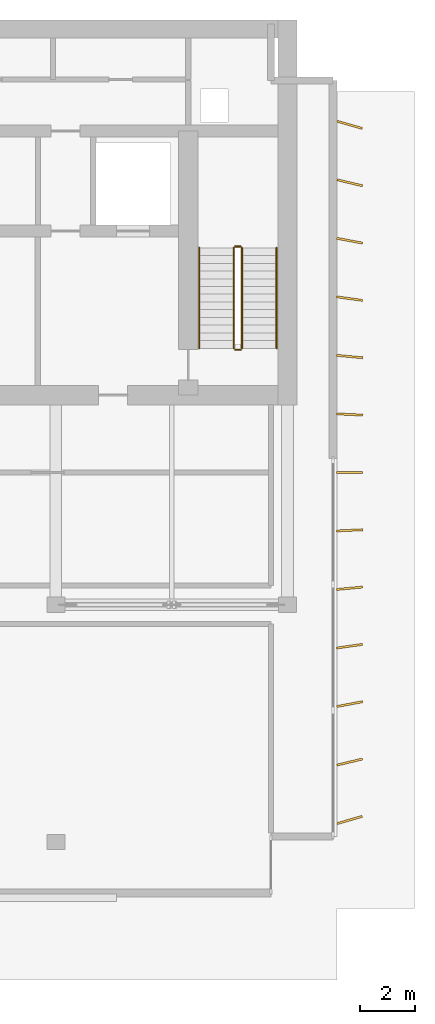
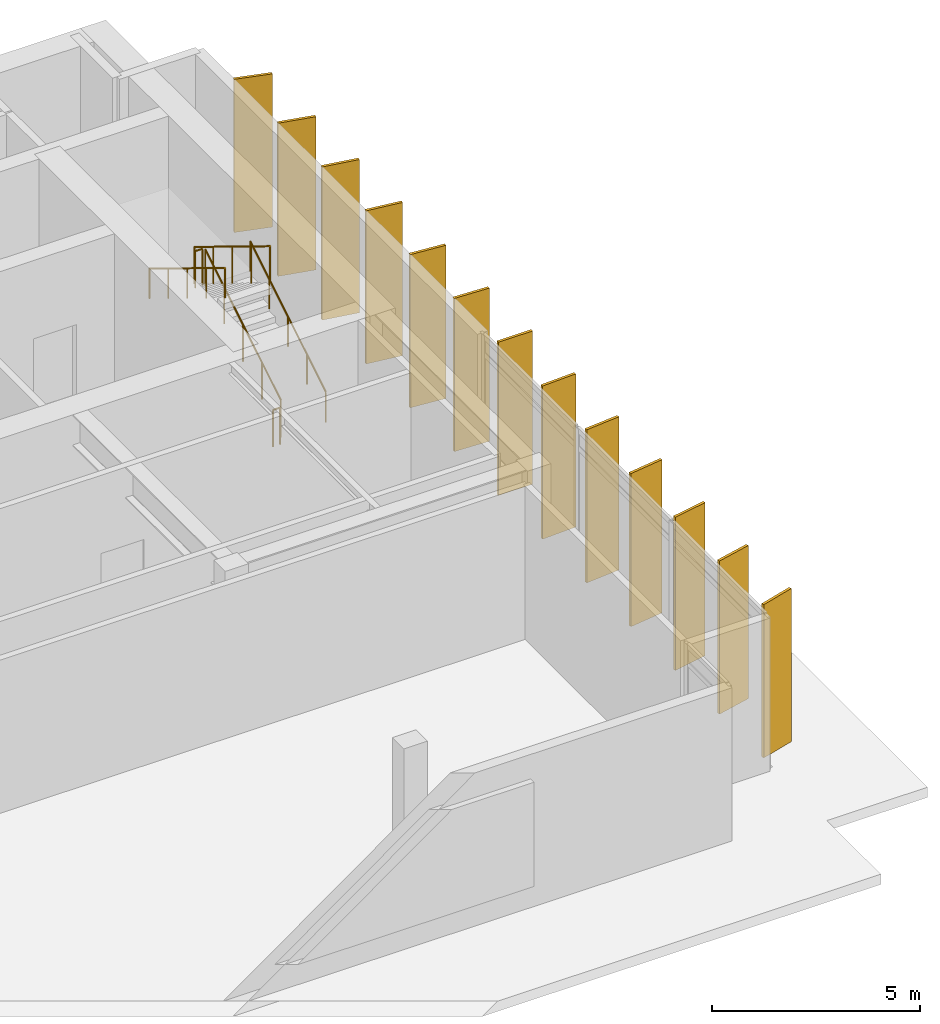
# One storey, part 10 of 10: 13 shading devices, 6 railings.
"""IFC4 building model written with IfcOpenShell, lengths in metres."""

import ifcopenshell
import ifcopenshell.guid

model = None  # the IFC model being written
_history = None  # IfcOwnerHistory: only IFC2X3 demands one
_inside = {}  # id of a spatial element -> (the spatial element, [elements in it])
_under = {}  # id of a project, library or spatial element -> (it, [spatial elements below it])
_declared = {}  # id of a project -> (the project, [libraries it declares])
_typed = {}  # id of a type object -> (the type object, [elements of that type])
_made_of = {}  # id of a material, layer set ... -> (it, [elements and type objects made of it])


def new_model(schema):
    """Start an empty IFC model of exactly this schema.

    Asked for "IFC4X3", IfcOpenShell would pick the latest addendum, in which some entities
    have other attributes; the version numbers below select the first issue.
    IFC2X3 requires an IfcOwnerHistory on every rooted entity: one is made here for all.
    """
    global model, _history
    if schema == "IFC4X3":
        model = ifcopenshell.file(schema_version=(4, 3, 0, 0))
    else:
        model = ifcopenshell.file(schema=schema)
    _inside.clear()
    _under.clear()
    _declared.clear()
    _typed.clear()
    _made_of.clear()
    _history = None
    if model.schema == "IFC2X3":
        org = make("IfcOrganization", Name="unknown")
        user = make(
            "IfcPersonAndOrganization",
            ThePerson=make("IfcPerson", FamilyName="unknown"),
            TheOrganization=org,
        )
        app = make(
            "IfcApplication",
            ApplicationDeveloper=org,
            Version="unknown",
            ApplicationFullName="unknown",
            ApplicationIdentifier="unknown",
        )
        _history = make(
            "IfcOwnerHistory",
            OwningUser=user,
            OwningApplication=app,
            ChangeAction="ADDED",
            CreationDate=0,
        )
    return model


def make(cls, **values):
    """One entity of the class cls with the attributes given. An attribute that is None is left unset."""
    return model.create_entity(
        cls, **{name: value for name, value in values.items() if value is not None}
    )


def rooted(cls, **values):
    """An entity with a GlobalId (a new one), such as an element, a storey or a relation."""
    return make(cls, GlobalId=ifcopenshell.guid.new(), OwnerHistory=_history, **values)


def si_unit(unit_type, name, prefix=None):
    """IfcSIUnit, for example si_unit("LENGTHUNIT", "METRE", prefix="MILLI")."""
    return make("IfcSIUnit", UnitType=unit_type, Prefix=prefix, Name=name)


def assignment(units):
    """IfcUnitAssignment: the units of a project."""
    return None if units is None else make("IfcUnitAssignment", Units=units)


def point(xyz):
    """IfcCartesianPoint."""
    return None if xyz is None else make("IfcCartesianPoint", Coordinates=xyz)


def direction(xyz):
    """IfcDirection."""
    return None if xyz is None else make("IfcDirection", DirectionRatios=xyz)


def frame(location, z_axis=None, x_axis=None):
    """IfcAxis2Placement3D, a coordinate frame: its origin and axes. An axis left out is left unset."""
    return make(
        "IfcAxis2Placement3D",
        Location=point(location),
        Axis=direction(z_axis),
        RefDirection=direction(x_axis),
    )


def frame_2d(location, x_axis=None):
    """IfcAxis2Placement2D, a coordinate frame in the plane: its origin and x axis."""
    return make(
        "IfcAxis2Placement2D", Location=point(location), RefDirection=direction(x_axis)
    )


def origin():
    """The frame at (0, 0, 0) with its axes left unset."""
    return frame((0.0, 0.0, 0.0))


def origin_2d():
    """The frame at (0, 0) in the plane with its x axis left unset."""
    return frame_2d((0.0, 0.0))


def place(relative_to, where):
    """IfcLocalPlacement: puts the frame where relative to a parent placement (None: the world)."""
    return make(
        "IfcLocalPlacement", PlacementRelTo=relative_to, RelativePlacement=where
    )


def context(
    kind, dimensions, precision=None, world=None, true_north=None, identifier=None
):
    """IfcGeometricRepresentationContext, for example the 3D "Model" context."""
    return make(
        "IfcGeometricRepresentationContext",
        ContextIdentifier=identifier,
        ContextType=kind,
        CoordinateSpaceDimension=dimensions,
        Precision=precision,
        WorldCoordinateSystem=world,
        TrueNorth=true_north,
    )


def subcontext(parent, identifier, kind, view, scale=None):
    """IfcGeometricRepresentationSubContext, for example "Body" below "Model"."""
    return make(
        "IfcGeometricRepresentationSubContext",
        ContextIdentifier=identifier,
        ContextType=kind,
        ParentContext=parent,
        TargetScale=scale,
        TargetView=view,
    )


def project(units=None, contexts=None):
    """IfcProject with its units and contexts."""
    return rooted(
        "IfcProject",
        Name="project",
        RepresentationContexts=contexts,
        UnitsInContext=assignment(units),
    )


def spatial(cls, under=None, at=None, **own):
    """A site, building, storey or space (cls), placed at a placement, below another one or the project."""
    s = rooted(cls, ObjectPlacement=at, **own)
    if under is not None:
        _under.setdefault(under.id(), (under, []))[1].append(s)
    return s


def profile(cls, at=None, kind="AREA", **sizes):
    """A parametric profile (cls). Its sizes go by their IFC names, for example OverallWidth=200.0."""
    return make(cls, ProfileType=kind, Position=at, **sizes)


def rectangle(**sizes):
    """IfcRectangleProfileDef."""
    return profile("IfcRectangleProfileDef", **sizes)


def circle(**sizes):
    """IfcCircleProfileDef."""
    return profile("IfcCircleProfileDef", **sizes)


def extrude(swept, where, along, depth):
    """IfcExtrudedAreaSolid: the profile swept, set in the frame where, extruded along a direction by depth."""
    return make(
        "IfcExtrudedAreaSolid",
        SweptArea=swept,
        Position=where,
        ExtrudedDirection=direction(along),
        Depth=depth,
    )


def shape(context_of_items, identifier, shape_type, items):
    """IfcShapeRepresentation: the items that make up one representation, for example the "Body"."""
    return make(
        "IfcShapeRepresentation",
        ContextOfItems=context_of_items,
        RepresentationIdentifier=identifier,
        RepresentationType=shape_type,
        Items=items,
    )


def material(Name=None, Category=None):
    """IfcMaterial."""
    return make("IfcMaterial", Name=Name, Category=Category)


def material_profile(
    of_material, cross_section, Name=None, Category=None, Priority=None
):
    """IfcMaterialProfile: a cross section and its material."""
    return make(
        "IfcMaterialProfile",
        Name=Name,
        Material=of_material,
        Profile=cross_section,
        Priority=Priority,
        Category=Category,
    )


def profile_set(profiles, Name=None, composite=None):
    """IfcMaterialProfileSet."""
    return make(
        "IfcMaterialProfileSet",
        Name=Name,
        MaterialProfiles=profiles,
        CompositeProfile=composite,
    )


def made_of(thing, what):
    """Note that an element or type object is made of a material, layer set ...; save() writes the relation."""
    if what is not None:
        _made_of.setdefault(what.id(), (what, []))[1].append(thing)
    return thing


def type_object(cls, material=None, **own):
    """A type object (cls), such as IfcWallType, which elements share."""
    return made_of(rooted(cls, **own), material)


def element(
    cls,
    number,
    at=None,
    inside=None,
    cuts=None,
    type_object=None,
    material=None,
    context=None,
    identifier="Body",
    shape_type=None,
    held_by="IfcProductDefinitionShape",
    body=None,
    shapes=None,
    **own,
):
    """One element of the class cls, such as IfcWall. Its Tag is "e" and its number.

    at: its placement. inside: the storey or other place that contains it. cuts: it is an
    opening in that element (IfcRelVoidsElement). A single representation is given by context,
    identifier, shape_type and body (its items); several are given by shapes. held_by: the class
    of the entity that holds the representations. save() writes the other relations.
    """
    e = rooted(cls, Tag="e%d" % number, ObjectPlacement=at, **own)
    if body is not None:
        shapes = [shape(context, identifier, shape_type, body)]
    if shapes is not None:
        e.Representation = make(held_by, Representations=shapes)
    if inside is not None:
        _inside.setdefault(inside.id(), (inside, []))[1].append(e)
    if cuts is not None:
        rooted(
            "IfcRelVoidsElement", RelatingBuildingElement=cuts, RelatedOpeningElement=e
        )
    if type_object is not None:
        _typed.setdefault(type_object.id(), (type_object, []))[1].append(e)
    return made_of(e, material)


def aggregate(whole, parts):
    """IfcRelAggregates: a whole, such as a stair, and the parts it consists of."""
    return rooted("IfcRelAggregates", RelatingObject=whole, RelatedObjects=parts)


def save(model, path):
    """Write the relations noted so far, then the file.

    IfcRelAggregates (storeys below a building ...), IfcRelContainedInSpatialStructure (elements
    in a storey), IfcRelDefinesByType, IfcRelAssociatesMaterial and IfcRelDeclares: one each for
    every whole, place, type object, material and project.
    """
    for whole, parts in _under.values():
        aggregate(whole, parts)
    for where, things in _inside.values():
        rooted(
            "IfcRelContainedInSpatialStructure",
            RelatedElements=things,
            RelatingStructure=where,
        )
    for kind, things in _typed.values():
        rooted("IfcRelDefinesByType", RelatedObjects=things, RelatingType=kind)
    for what, things in _made_of.values():
        rooted("IfcRelAssociatesMaterial", RelatedObjects=things, RelatingMaterial=what)
    for by, libraries in _declared.values():
        rooted("IfcRelDeclares", RelatingContext=by, RelatedDefinitions=libraries)
    model.write(path)


model = new_model("IFC4")

# Units and contexts
model_context = context("Model", 3, precision=1e-05, world=origin(), true_north=direction((0.0, 1.0)))
body_context = subcontext(model_context, "Body", "Model", "MODEL_VIEW")
ifc_project = project(units=[si_unit("LENGTHUNIT", "METRE"), si_unit("AREAUNIT", "SQUARE_METRE"), si_unit("VOLUMEUNIT", "CUBIC_METRE"), si_unit("PLANEANGLEUNIT", "RADIAN"), si_unit("MASSUNIT", "GRAM", prefix="KILO")], contexts=[model_context])

# Site, building, storey
site_placement = place(None, origin())
site = spatial("IfcSite", under=ifc_project, at=site_placement, CompositionType="ELEMENT")
building_placement = place(site_placement, origin())
building = spatial("IfcBuilding", under=site, at=building_placement, Name="Caelmar Bay Residences", CompositionType="ELEMENT")
storey_placement = place(building_placement, frame((0.0, 0.0, 295.60009765625)))
storey = spatial("IfcBuildingStorey", under=building, at=storey_placement, Name="L81", CompositionType="ELEMENT", Elevation=295.60009765625)

# Railings
ifc_material_1 = material(Name="Painted galvanized steel stair guard 1100 mm", Category="steel")
railing_type_1 = type_object("IfcRailingType", Name="RL-GRD-1100", PredefinedType="GUARDRAIL", material=ifc_material_1)
railing_1_placement = place(storey_placement, frame((57.85009765625, 38.699951171875, 0.17138671875)))
element("IfcRailing", 1, at=railing_1_placement, inside=storey, type_object=railing_type_1, Name="L81 ST2 stair guard 1", PredefinedType="GUARDRAIL", context=body_context, shape_type="SweptSolid", body=[
    extrude(circle(Radius=0.02392578125, at=origin_2d()), frame((0.0, 0.0, 1.076171875), z_axis=(0.0, 0.852865859571, 0.52213008492), x_axis=(-1.0, 0.0, 0.0)), (0.0, 0.0, 1.0), 4.26806640625),
    extrude(circle(Radius=0.02099609375, at=origin_2d()), origin(), (0.0, 0.0, 1.0), 1.052001953125),
    extrude(circle(Radius=0.02099609375, at=origin_2d()), frame((0.0, 0.91015625, 0.55712890625)), (0.0, 0.0, 1.0), 1.052001953125),
    extrude(circle(Radius=0.02099609375, at=origin_2d()), frame((0.0, 1.820068359375, 1.1142578125)), (0.0, 0.0, 1.0), 1.052001953125),
    extrude(circle(Radius=0.02099609375, at=origin_2d()), frame((0.0, 2.72998046875, 1.67138671875)), (0.0, 0.0, 1.0), 1.052001953125),
    extrude(circle(Radius=0.02099609375, at=origin_2d()), frame((0.0, 3.64013671875, 2.228515625)), (0.0, 0.0, 1.0), 1.052001953125),
])
railing_2_placement = place(storey_placement, frame((57.800048828125, 42.389892578125, 2.39990234375)))
element("IfcRailing", 2, at=railing_2_placement, inside=storey, type_object=railing_type_1, Name="L81 ST2 stair guard 2", PredefinedType="GUARDRAIL", context=body_context, shape_type="SweptSolid", body=[
    extrude(circle(Radius=0.02392578125, at=origin_2d()), frame((0.0, 0.0, 1.076171875), z_axis=(-1.0, 0.0, 0.0), x_axis=(0.0, -1.0, 0.0)), (0.0, 0.0, 1.0), 0.199951171875),
    extrude(circle(Radius=0.02099609375, at=origin_2d()), origin(), (0.0, 0.0, 1.0), 1.052001953125),
    extrude(circle(Radius=0.02099609375, at=origin_2d()), frame((-0.199951171875, 0.0, 0.0)), (0.0, 0.0, 1.0), 1.052001953125),
])
railing_3_placement = place(storey_placement, frame((57.550048828125, 42.340087890625, 2.5712890625)))
element("IfcRailing", 3, at=railing_3_placement, inside=storey, type_object=railing_type_1, Name="L81 ST2 stair guard 3", PredefinedType="GUARDRAIL", context=body_context, shape_type="SweptSolid", body=[
    extrude(circle(Radius=0.02392578125, at=origin_2d()), frame((0.0, 0.0, 1.076171875), z_axis=(0.0, -0.852865859571, 0.52213008492), x_axis=(1.0, 0.0, 0.0)), (0.0, 0.0, 1.0), 4.26806640625),
    extrude(circle(Radius=0.02099609375, at=origin_2d()), origin(), (0.0, 0.0, 1.0), 1.052001953125),
    extrude(circle(Radius=0.02099609375, at=origin_2d()), frame((0.0, -0.91015625, 0.55712890625)), (0.0, 0.0, 1.0), 1.052001953125),
    extrude(circle(Radius=0.02099609375, at=origin_2d()), frame((0.0, -1.820068359375, 1.1142578125)), (0.0, 0.0, 1.0), 1.052001953125),
    extrude(circle(Radius=0.02099609375, at=origin_2d()), frame((0.0, -2.72998046875, 1.67138671875)), (0.0, 0.0, 1.0), 1.052001953125),
    extrude(circle(Radius=0.02099609375, at=origin_2d()), frame((0.0, -3.64013671875, 2.228515625)), (0.0, 0.0, 1.0), 1.052001953125),
])
railing_4_placement = place(storey_placement, frame((57.800048828125, 38.64990234375, 0.0)))
element("IfcRailing", 4, at=railing_4_placement, inside=storey, type_object=railing_type_1, Name="L81 ST2 stair guard 4", PredefinedType="GUARDRAIL", context=body_context, shape_type="SweptSolid", body=[
    extrude(circle(Radius=0.02392578125, at=origin_2d()), frame((0.0, 0.0, 1.076171875), z_axis=(-1.0, 0.0, 0.0), x_axis=(0.0, -1.0, 0.0)), (0.0, 0.0, 1.0), 0.199951171875),
    extrude(circle(Radius=0.02099609375, at=origin_2d()), origin(), (0.0, 0.0, 1.0), 1.052001953125),
    extrude(circle(Radius=0.02099609375, at=origin_2d()), frame((-0.199951171875, 0.0, 0.0)), (0.0, 0.0, 1.0), 1.052001953125),
])
ifc_material_2 = material(Name="Brushed bronze stainless-steel tubular handrail 900 mm", Category="steel")
railing_type_2 = type_object("IfcRailingType", Name="RL-HND-900", PredefinedType="HANDRAIL", material=ifc_material_2)
railing_5_placement = place(storey_placement, frame((59.10009765625, 38.699951171875, 0.17138671875)))
element("IfcRailing", 5, at=railing_5_placement, inside=storey, type_object=railing_type_2, Name="L81 ST2 stair handrail 1", PredefinedType="HANDRAIL", context=body_context, shape_type="SweptSolid", body=[
    extrude(circle(Radius=0.02392578125, at=origin_2d()), frame((0.0, 0.0, 0.8759765625), z_axis=(0.0, 0.852865859571, 0.52213008492), x_axis=(-1.0, 0.0, 0.0)), (0.0, 0.0, 1.0), 4.26806640625),
    extrude(circle(Radius=0.02099609375, at=origin_2d()), origin(), (0.0, 0.0, 1.0), 0.851806640625),
    extrude(circle(Radius=0.02099609375, at=origin_2d()), frame((0.0, 0.91015625, 0.55712890625)), (0.0, 0.0, 1.0), 0.851806640625),
    extrude(circle(Radius=0.02099609375, at=origin_2d()), frame((0.0, 1.820068359375, 1.1142578125)), (0.0, 0.0, 1.0), 0.851806640625),
    extrude(circle(Radius=0.02099609375, at=origin_2d()), frame((0.0, 2.72998046875, 1.67138671875)), (0.0, 0.0, 1.0), 0.851806640625),
    extrude(circle(Radius=0.02099609375, at=origin_2d()), frame((0.0, 3.64013671875, 2.228515625)), (0.0, 0.0, 1.0), 0.851806640625),
])
railing_6_placement = place(storey_placement, frame((56.300048828125, 42.340087890625, 2.5712890625)))
element("IfcRailing", 6, at=railing_6_placement, inside=storey, type_object=railing_type_2, Name="L81 ST2 stair handrail 2", PredefinedType="HANDRAIL", context=body_context, shape_type="SweptSolid", body=[
    extrude(circle(Radius=0.02392578125, at=origin_2d()), frame((0.0, 0.0, 0.8759765625), z_axis=(0.0, -0.852865859571, 0.52213008492), x_axis=(1.0, 0.0, 0.0)), (0.0, 0.0, 1.0), 4.26806640625),
    extrude(circle(Radius=0.02099609375, at=origin_2d()), origin(), (0.0, 0.0, 1.0), 0.851806640625),
    extrude(circle(Radius=0.02099609375, at=origin_2d()), frame((0.0, -0.91015625, 0.55712890625)), (0.0, 0.0, 1.0), 0.851806640625),
    extrude(circle(Radius=0.02099609375, at=origin_2d()), frame((0.0, -1.820068359375, 1.1142578125)), (0.0, 0.0, 1.0), 0.851806640625),
    extrude(circle(Radius=0.02099609375, at=origin_2d()), frame((0.0, -2.72998046875, 1.67138671875)), (0.0, 0.0, 1.0), 0.851806640625),
    extrude(circle(Radius=0.02099609375, at=origin_2d()), frame((0.0, -3.64013671875, 2.228515625)), (0.0, 0.0, 1.0), 0.851806640625),
])

# Shading devices
ifc_material_3 = material(Name="Anodised architectural bronze aluminium 6063-T6", Category="aluminium")
ifc_material_profile = material_profile(ifc_material_3, rectangle(XDim=0.074951171875, YDim=0.949951171875, at=origin_2d()), Name="BRONZE-FIN-75X950")
ifc_profile_set = profile_set([ifc_material_profile], Name="Anodised architectural bronze aluminium 6063-T6")
shading_device_type = type_object("IfcShadingDeviceType", Name="SHD-FIN-950", PredefinedType="USERDEFINED", material=ifc_profile_set)
for number, where, z_axis, x_axis, name in (
    (7, (61.75, 21.60009765625, 0.0), (0.0, 0.0, 1.0), (-0.275637355817, 0.961261695938, 0.0), "L81 East Bronze Solar Fin 1"),
    (8, (61.75, 23.699951171875, 0.0), (0.0, 0.0, 1.0), (-0.230559260896, 0.973058285621, 0.0), "L81 East Bronze Solar Fin 2"),
    (9, (61.75, 25.800048828125, 0.0), (0.0, 0.0, 1.0), (-0.185152095101, 0.982709876657, 0.0), "L81 East Bronze Solar Fin 3"),
    (10, (61.75, 27.89990234375, 0.0), (0.0, 0.0, 1.0), (-0.13917310096, 0.990268068742, 0.0), "L81 East Bronze Solar Fin 4"),
    (11, (61.75, 30.0, 0.0), (0.0, 0.0, 1.0), (-0.092891934994, 0.995676196569, 0.0), "L81 East Bronze Solar Fin 5"),
    (12, (61.75, 32.10009765625, 0.0), (0.0, 0.0, 1.0), (-0.046583426761, 0.998914402915, 0.0), "L81 East Bronze Solar Fin 6"),
    (13, (61.75, 34.199951171875, 0.0), (0.0, 0.0, 1.0), (0.0, 1.0, 0.0), "L81 East Bronze Solar Fin 7"),
    (14, (61.75, 36.300048828125, 0.0), (0.0, 0.0, 1.0), (0.046583426761, 0.998914402915, 0.0), "L81 East Bronze Solar Fin 8"),
    (15, (61.75, 38.39990234375, 0.0), (0.0, 0.0, 1.0), (0.092891934994, 0.995676196569, 0.0), "L81 East Bronze Solar Fin 9"),
    (16, (61.75, 40.5, 0.0), (0.0, 0.0, 1.0), (0.13917310096, 0.990268068742, 0.0), "L81 East Bronze Solar Fin 10"),
    (17, (61.75, 42.60009765625, 0.0), (0.0, 0.0, 1.0), (0.185152095101, 0.982709876657, 0.0), "L81 East Bronze Solar Fin 11"),
    (18, (61.75, 44.699951171875, 0.0), (0.0, 0.0, 1.0), (0.230559260896, 0.973058285621, 0.0), "L81 East Bronze Solar Fin 12"),
    (19, (61.75, 46.800048828125, 0.0), (0.0, 0.0, 1.0), (0.275637355817, 0.961261695938, 0.0), "L81 East Bronze Solar Fin 13"),
):
    element("IfcShadingDevice", number, at=place(storey_placement, frame(where, z_axis=z_axis, x_axis=x_axis)), inside=storey, type_object=shading_device_type, Name=name, ObjectType="FIN", PredefinedType="USERDEFINED", context=body_context, shape_type="SweptSolid", body=[
        extrude(rectangle(XDim=0.074951171875, YDim=0.949951171875, at=origin_2d()), origin(), (0.0, 0.0, 1.0), 4.5),
    ])

save(model, "model.ifc")
